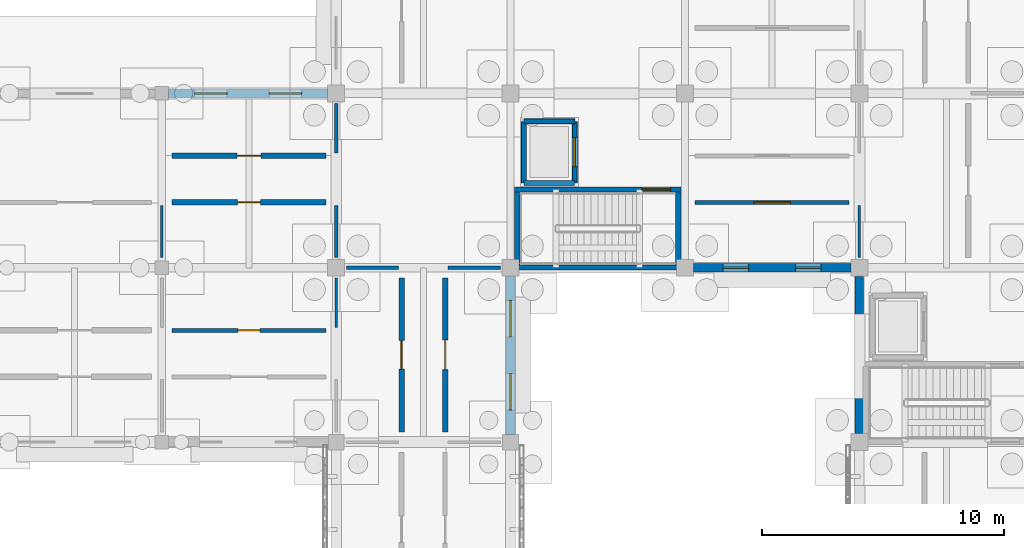
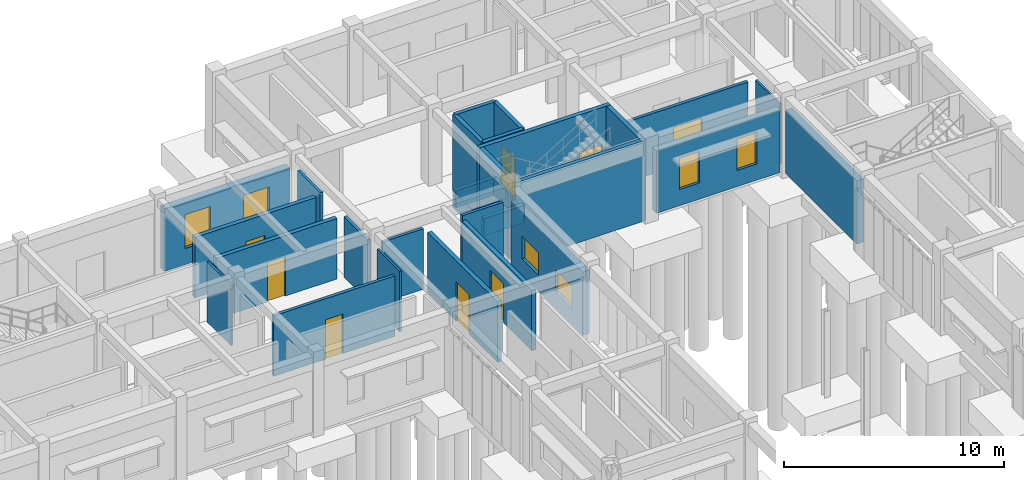
# One storey, part 82 of 111: 29 walls, 8 doors, 6 windows, 14 openings.
"""IFC4 building model written with IfcOpenShell, lengths in metres."""

import ifcopenshell
import ifcopenshell.guid

model = None  # the IFC model being written
_history = None  # IfcOwnerHistory: only IFC2X3 demands one
_inside = {}  # id of a spatial element -> (the spatial element, [elements in it])
_under = {}  # id of a project, library or spatial element -> (it, [spatial elements below it])
_declared = {}  # id of a project -> (the project, [libraries it declares])
_typed = {}  # id of a type object -> (the type object, [elements of that type])
_made_of = {}  # id of a material, layer set ... -> (it, [elements and type objects made of it])


def new_model(schema):
    """Start an empty IFC model of exactly this schema.

    Asked for "IFC4X3", IfcOpenShell would pick the latest addendum, in which some entities
    have other attributes; the version numbers below select the first issue.
    IFC2X3 requires an IfcOwnerHistory on every rooted entity: one is made here for all.
    """
    global model, _history
    if schema == "IFC4X3":
        model = ifcopenshell.file(schema_version=(4, 3, 0, 0))
    else:
        model = ifcopenshell.file(schema=schema)
    _inside.clear()
    _under.clear()
    _declared.clear()
    _typed.clear()
    _made_of.clear()
    _history = None
    if model.schema == "IFC2X3":
        org = make("IfcOrganization", Name="unknown")
        user = make(
            "IfcPersonAndOrganization",
            ThePerson=make("IfcPerson", FamilyName="unknown"),
            TheOrganization=org,
        )
        app = make(
            "IfcApplication",
            ApplicationDeveloper=org,
            Version="unknown",
            ApplicationFullName="unknown",
            ApplicationIdentifier="unknown",
        )
        _history = make(
            "IfcOwnerHistory",
            OwningUser=user,
            OwningApplication=app,
            ChangeAction="ADDED",
            CreationDate=0,
        )
    return model


def make(cls, **values):
    """One entity of the class cls with the attributes given. An attribute that is None is left unset."""
    return model.create_entity(
        cls, **{name: value for name, value in values.items() if value is not None}
    )


def rooted(cls, **values):
    """An entity with a GlobalId (a new one), such as an element, a storey or a relation."""
    return make(cls, GlobalId=ifcopenshell.guid.new(), OwnerHistory=_history, **values)


def si_unit(unit_type, name, prefix=None):
    """IfcSIUnit, for example si_unit("LENGTHUNIT", "METRE", prefix="MILLI")."""
    return make("IfcSIUnit", UnitType=unit_type, Prefix=prefix, Name=name)


def assignment(units):
    """IfcUnitAssignment: the units of a project."""
    return None if units is None else make("IfcUnitAssignment", Units=units)


def point(xyz):
    """IfcCartesianPoint."""
    return None if xyz is None else make("IfcCartesianPoint", Coordinates=xyz)


def direction(xyz):
    """IfcDirection."""
    return None if xyz is None else make("IfcDirection", DirectionRatios=xyz)


def frame(location, z_axis=None, x_axis=None):
    """IfcAxis2Placement3D, a coordinate frame: its origin and axes. An axis left out is left unset."""
    return make(
        "IfcAxis2Placement3D",
        Location=point(location),
        Axis=direction(z_axis),
        RefDirection=direction(x_axis),
    )


def frame_2d(location, x_axis=None):
    """IfcAxis2Placement2D, a coordinate frame in the plane: its origin and x axis."""
    return make(
        "IfcAxis2Placement2D", Location=point(location), RefDirection=direction(x_axis)
    )


def origin():
    """The frame at (0, 0, 0) with its axes left unset."""
    return frame((0.0, 0.0, 0.0))


def place(relative_to, where):
    """IfcLocalPlacement: puts the frame where relative to a parent placement (None: the world)."""
    return make(
        "IfcLocalPlacement", PlacementRelTo=relative_to, RelativePlacement=where
    )


def context(
    kind, dimensions, precision=None, world=None, true_north=None, identifier=None
):
    """IfcGeometricRepresentationContext, for example the 3D "Model" context."""
    return make(
        "IfcGeometricRepresentationContext",
        ContextIdentifier=identifier,
        ContextType=kind,
        CoordinateSpaceDimension=dimensions,
        Precision=precision,
        WorldCoordinateSystem=world,
        TrueNorth=true_north,
    )


def subcontext(parent, identifier, kind, view, scale=None):
    """IfcGeometricRepresentationSubContext, for example "Body" below "Model"."""
    return make(
        "IfcGeometricRepresentationSubContext",
        ContextIdentifier=identifier,
        ContextType=kind,
        ParentContext=parent,
        TargetScale=scale,
        TargetView=view,
    )


def project(units=None, contexts=None):
    """IfcProject with its units and contexts."""
    return rooted(
        "IfcProject",
        Name="project",
        RepresentationContexts=contexts,
        UnitsInContext=assignment(units),
    )


def spatial(cls, under=None, at=None, **own):
    """A site, building, storey or space (cls), placed at a placement, below another one or the project."""
    s = rooted(cls, ObjectPlacement=at, **own)
    if under is not None:
        _under.setdefault(under.id(), (under, []))[1].append(s)
    return s


def profile(cls, at=None, kind="AREA", **sizes):
    """A parametric profile (cls). Its sizes go by their IFC names, for example OverallWidth=200.0."""
    return make(cls, ProfileType=kind, Position=at, **sizes)


def rectangle(**sizes):
    """IfcRectangleProfileDef."""
    return profile("IfcRectangleProfileDef", **sizes)


def extrude(swept, where, along, depth):
    """IfcExtrudedAreaSolid: the profile swept, set in the frame where, extruded along a direction by depth."""
    return make(
        "IfcExtrudedAreaSolid",
        SweptArea=swept,
        Position=where,
        ExtrudedDirection=direction(along),
        Depth=depth,
    )


def shape(context_of_items, identifier, shape_type, items):
    """IfcShapeRepresentation: the items that make up one representation, for example the "Body"."""
    return make(
        "IfcShapeRepresentation",
        ContextOfItems=context_of_items,
        RepresentationIdentifier=identifier,
        RepresentationType=shape_type,
        Items=items,
    )


def material(Name=None, Category=None):
    """IfcMaterial."""
    return make("IfcMaterial", Name=Name, Category=Category)


def layer(
    of_material, thickness, ventilated=None, Name=None, Category=None, Priority=None
):
    """IfcMaterialLayer: one layer of a wall or slab, of a material (None: an air gap)."""
    return make(
        "IfcMaterialLayer",
        Material=of_material,
        LayerThickness=thickness,
        IsVentilated=ventilated,
        Name=Name,
        Category=Category,
        Priority=Priority,
    )


def layer_set(layers, Name=None):
    """IfcMaterialLayerSet."""
    return make("IfcMaterialLayerSet", MaterialLayers=layers, LayerSetName=Name)


def made_of(thing, what):
    """Note that an element or type object is made of a material, layer set ...; save() writes the relation."""
    if what is not None:
        _made_of.setdefault(what.id(), (what, []))[1].append(thing)
    return thing


def type_object(cls, material=None, **own):
    """A type object (cls), such as IfcWallType, which elements share."""
    return made_of(rooted(cls, **own), material)


def element(
    cls,
    number,
    at=None,
    inside=None,
    cuts=None,
    type_object=None,
    material=None,
    context=None,
    identifier="Body",
    shape_type=None,
    held_by="IfcProductDefinitionShape",
    body=None,
    shapes=None,
    **own,
):
    """One element of the class cls, such as IfcWall. Its Tag is "e" and its number.

    at: its placement. inside: the storey or other place that contains it. cuts: it is an
    opening in that element (IfcRelVoidsElement). A single representation is given by context,
    identifier, shape_type and body (its items); several are given by shapes. held_by: the class
    of the entity that holds the representations. save() writes the other relations.
    """
    e = rooted(cls, Tag="e%d" % number, ObjectPlacement=at, **own)
    if body is not None:
        shapes = [shape(context, identifier, shape_type, body)]
    if shapes is not None:
        e.Representation = make(held_by, Representations=shapes)
    if inside is not None:
        _inside.setdefault(inside.id(), (inside, []))[1].append(e)
    if cuts is not None:
        rooted(
            "IfcRelVoidsElement", RelatingBuildingElement=cuts, RelatedOpeningElement=e
        )
    if type_object is not None:
        _typed.setdefault(type_object.id(), (type_object, []))[1].append(e)
    return made_of(e, material)


def fill(opening, filler):
    """IfcRelFillsElement: the door or window that sits in an opening."""
    return rooted(
        "IfcRelFillsElement",
        RelatingOpeningElement=opening,
        RelatedBuildingElement=filler,
    )


def aggregate(whole, parts):
    """IfcRelAggregates: a whole, such as a stair, and the parts it consists of."""
    return rooted("IfcRelAggregates", RelatingObject=whole, RelatedObjects=parts)


def save(model, path):
    """Write the relations noted so far, then the file.

    IfcRelAggregates (storeys below a building ...), IfcRelContainedInSpatialStructure (elements
    in a storey), IfcRelDefinesByType, IfcRelAssociatesMaterial and IfcRelDeclares: one each for
    every whole, place, type object, material and project.
    """
    for whole, parts in _under.values():
        aggregate(whole, parts)
    for where, things in _inside.values():
        rooted(
            "IfcRelContainedInSpatialStructure",
            RelatedElements=things,
            RelatingStructure=where,
        )
    for kind, things in _typed.values():
        rooted("IfcRelDefinesByType", RelatedObjects=things, RelatingType=kind)
    for what, things in _made_of.values():
        rooted("IfcRelAssociatesMaterial", RelatedObjects=things, RelatingMaterial=what)
    for by, libraries in _declared.values():
        rooted("IfcRelDeclares", RelatingContext=by, RelatedDefinitions=libraries)
    model.write(path)


model = new_model("IFC4")

# Units and contexts
model_context = context("Model", 3, precision=1e-05, world=origin(), true_north=direction((0.0, 1.0)))
body_context = subcontext(model_context, "Body", "Model", "MODEL_VIEW")
ifc_project = project(units=[si_unit("LENGTHUNIT", "METRE"), si_unit("AREAUNIT", "SQUARE_METRE"), si_unit("VOLUMEUNIT", "CUBIC_METRE"), si_unit("PLANEANGLEUNIT", "RADIAN"), si_unit("MASSUNIT", "GRAM", prefix="KILO")], contexts=[model_context])

# Site, building, storey
site_placement = place(None, origin())
site = spatial("IfcSite", under=ifc_project, at=site_placement, CompositionType="ELEMENT")
building_placement = place(site_placement, origin())
building = spatial("IfcBuilding", under=site, at=building_placement, Name="Aldebral Square Health Centre", CompositionType="ELEMENT")
storey_placement = place(building_placement, origin())
storey = spatial("IfcBuildingStorey", under=building, at=storey_placement, Name="L00", CompositionType="ELEMENT", Elevation=0.0)

# Wall, openings, windows
ifc_material_1 = material(Name="Cream cantera stone and concrete wall C35/45", Category="masonry")
ifc_layer_1 = layer(ifc_material_1, 0.340087890625, Name="Cream cantera stone and concrete wall C35/45", Category="masonry")
ifc_layer_set_1 = layer_set([ifc_layer_1], Name="Cream cantera stone and concrete wall C35/45")
wall_type_1 = type_object("IfcWallType", Name="EW-CAN-340", PredefinedType="SOLIDWALL", material=ifc_layer_set_1)
wall_1_placement = place(storey_placement, frame((151.550048828125, 100.800048828125, 0.0), z_axis=(0.0, 0.0, 1.0), x_axis=(1.0, 0.0, 0.0)))
wall_1 = element("IfcWall", 1, at=wall_1_placement, inside=storey, type_object=wall_type_1, Name="L00 V5 exterior wall L00-V5-21-14-S", PredefinedType="SOLIDWALL", context=body_context, shape_type="SweptSolid", body=[
    extrude(rectangle(XDim=6.5, YDim=0.340087890625, at=frame_2d((3.25, 0.0))), origin(), (0.0, 0.0, 1.0), 3.469970703125),
])
opening_1_placement = place(wall_1_placement, frame((1.22509765625, 0.0, 0.89990234375)))
opening_1 = element("IfcOpeningElement", 2, at=opening_1_placement, cuts=wall_1, Name="Opening W38", PredefinedType="OPENING", context=body_context, shape_type="SweptSolid", body=[
    extrude(rectangle(XDim=1.050048828125, YDim=1.75, at=frame_2d((0.52490234375, 0.875))), frame((0.0, 0.18017578125, 0.0), z_axis=(0.0, -1.0, 0.0), x_axis=(1.0, 0.0, 0.0)), (0.0, 0.0, 1.0), 0.360107421875),
])
opening_2_placement = place(wall_1_placement, frame((4.22509765625, 0.0, 0.89990234375)))
opening_2 = element("IfcOpeningElement", 3, at=opening_2_placement, cuts=wall_1, Name="Opening W38", PredefinedType="OPENING", context=body_context, shape_type="SweptSolid", body=[
    extrude(rectangle(XDim=1.050048828125, YDim=1.75, at=frame_2d((0.52490234375, 0.875))), frame((0.0, 0.18017578125, 0.0), z_axis=(0.0, -1.0, 0.0), x_axis=(1.0, 0.0, 0.0)), (0.0, 0.0, 1.0), 0.360107421875),
])
ifc_material_2 = material(Name="Thermally broken aluminium and low-E glass", Category="aluminium")
window_type_1 = type_object("IfcWindowType", Name="WIN-W38", PartitioningType="SINGLE_PANEL", PredefinedType="WINDOW", material=ifc_material_2)
window_1_placement = place(opening_1_placement, origin())
window_1 = element("IfcWindow", 4, at=window_1_placement, inside=storey, type_object=window_type_1, Name="L00 clinical window L00-V5-21-14-S.1", OverallHeight=1.75, OverallWidth=1.050048828125, PartitioningType="SINGLE_PANEL", PredefinedType="WINDOW", context=body_context, shape_type="SweptSolid", body=[
    extrude(rectangle(XDim=1.050048828125, YDim=1.75, at=frame_2d((0.52490234375, 0.875))), frame((0.0, 0.030029296875, 0.0), z_axis=(0.0, -1.0, 0.0), x_axis=(1.0, 0.0, 0.0)), (0.0, 0.0, 1.0), 0.06005859375),
])
fill(opening_1, window_1)
window_2_placement = place(opening_2_placement, origin())
window_2 = element("IfcWindow", 5, at=window_2_placement, inside=storey, type_object=window_type_1, Name="L00 clinical window L00-V5-21-14-S.2", OverallHeight=1.75, OverallWidth=1.050048828125, PartitioningType="SINGLE_PANEL", PredefinedType="WINDOW", context=body_context, shape_type="SweptSolid", body=[
    extrude(rectangle(XDim=1.050048828125, YDim=1.75, at=frame_2d((0.52490234375, 0.875))), frame((0.0, 0.030029296875, 0.0), z_axis=(0.0, -1.0, 0.0), x_axis=(1.0, 0.0, 0.0)), (0.0, 0.0, 1.0), 0.06005859375),
])
fill(opening_2, window_2)

# Wall
wall_2_placement = place(storey_placement, frame((158.39990234375, 100.449951171875, 0.0), z_axis=(0.0, 0.0, 1.0), x_axis=(0.0, -1.0, 0.0)))
element("IfcWall", 6, at=wall_2_placement, inside=storey, type_object=wall_type_1, Name="L00 V5 exterior wall L00-V5-22-13-W", PredefinedType="SOLIDWALL", context=body_context, shape_type="SweptSolid", body=[
    extrude(rectangle(XDim=6.5, YDim=0.340087890625, at=frame_2d((3.25, 0.0))), origin(), (0.0, 0.0, 1.0), 3.52001953125),
])

# Wall, openings, windows
ifc_layer_2 = layer(ifc_material_1, 0.360107421875, Name="Cream cantera stone and concrete wall C35/45", Category="masonry")
ifc_layer_set_2 = layer_set([ifc_layer_2], Name="Cream cantera stone and concrete wall C35/45")
wall_type_2 = type_object("IfcWallType", Name="EW-CAN-360", PredefinedType="SOLIDWALL", material=ifc_layer_set_2)
wall_3_placement = place(storey_placement, frame((136.449951171875, 108.0, 0.0), z_axis=(0.0, 0.0, 1.0), x_axis=(-1.0, 0.0, 0.0)))
wall_3 = element("IfcWall", 7, at=wall_3_placement, inside=storey, type_object=wall_type_2, Name="L00 V5 exterior wall L00-V5-18-14-N", PredefinedType="SOLIDWALL", context=body_context, shape_type="SweptSolid", body=[
    extrude(rectangle(XDim=6.574951171875, YDim=0.360107421875, at=frame_2d((3.28759765625, 0.0))), origin(), (0.0, 0.0, 1.0), 3.469970703125),
])
opening_3_placement = place(wall_3_placement, frame((1.074951171875, 0.0, 0.89990234375)))
opening_3 = element("IfcOpeningElement", 8, at=opening_3_placement, cuts=wall_3, Name="Opening W49", PredefinedType="OPENING", context=body_context, shape_type="SweptSolid", body=[
    extrude(rectangle(XDim=1.35009765625, YDim=1.8798828125, at=frame_2d((0.675048828125, 0.93994140625))), frame((0.0, 0.18994140625, 0.0), z_axis=(0.0, -1.0, 0.0), x_axis=(1.0, 0.0, 0.0)), (0.0, 0.0, 1.0), 0.380126953125),
])
opening_4_placement = place(wall_3_placement, frame((4.14990234375, 0.0, 0.89990234375)))
opening_4 = element("IfcOpeningElement", 9, at=opening_4_placement, cuts=wall_3, Name="Opening W49", PredefinedType="OPENING", context=body_context, shape_type="SweptSolid", body=[
    extrude(rectangle(XDim=1.35009765625, YDim=1.8798828125, at=frame_2d((0.675048828125, 0.93994140625))), frame((0.0, 0.18994140625, 0.0), z_axis=(0.0, -1.0, 0.0), x_axis=(1.0, 0.0, 0.0)), (0.0, 0.0, 1.0), 0.380126953125),
])
window_type_2 = type_object("IfcWindowType", Name="WIN-W49", PartitioningType="SINGLE_PANEL", PredefinedType="WINDOW", material=ifc_material_2)
window_3_placement = place(opening_3_placement, origin())
window_3 = element("IfcWindow", 10, at=window_3_placement, inside=storey, type_object=window_type_2, Name="L00 clinical window L00-V5-18-14-N.1", OverallHeight=1.8798828125, OverallWidth=1.35009765625, PartitioningType="SINGLE_PANEL", PredefinedType="WINDOW", context=body_context, shape_type="SweptSolid", body=[
    extrude(rectangle(XDim=1.35009765625, YDim=1.8798828125, at=frame_2d((0.675048828125, 0.93994140625))), frame((0.0, 0.030029296875, 0.0), z_axis=(0.0, -1.0, 0.0), x_axis=(1.0, 0.0, 0.0)), (0.0, 0.0, 1.0), 0.06005859375),
])
fill(opening_3, window_3)
window_4_placement = place(opening_4_placement, origin())
window_4 = element("IfcWindow", 11, at=window_4_placement, inside=storey, type_object=window_type_2, Name="L00 clinical window L00-V5-18-14-N.2", OverallHeight=1.8798828125, OverallWidth=1.35009765625, PartitioningType="SINGLE_PANEL", PredefinedType="WINDOW", context=body_context, shape_type="SweptSolid", body=[
    extrude(rectangle(XDim=1.35009765625, YDim=1.8798828125, at=frame_2d((0.675048828125, 0.93994140625))), frame((0.0, 0.030029296875, 0.0), z_axis=(0.0, -1.0, 0.0), x_axis=(1.0, 0.0, 0.0)), (0.0, 0.0, 1.0), 0.06005859375),
])
fill(opening_4, window_4)

wall_4_placement = place(storey_placement, frame((144.0, 93.925048828125, 0.0), z_axis=(0.0, 0.0, 1.0), x_axis=(0.0, 1.0, 0.0)))
wall_4 = element("IfcWall", 12, at=wall_4_placement, inside=storey, type_object=wall_type_2, Name="L00 V5 exterior wall L00-V5-19-13-E", PredefinedType="SOLIDWALL", context=body_context, shape_type="SweptSolid", body=[
    extrude(rectangle(XDim=6.52490234375, YDim=0.360107421875, at=frame_2d((3.262451171875, 0.0))), origin(), (0.0, 0.0, 1.0), 3.52001953125),
])
opening_5_placement = place(wall_4_placement, frame((1.0, 0.0, 0.89990234375)))
opening_5 = element("IfcOpeningElement", 13, at=opening_5_placement, cuts=wall_4, Name="Opening W05", PredefinedType="OPENING", context=body_context, shape_type="SweptSolid", body=[
    extrude(rectangle(XDim=1.5, YDim=1.25, at=frame_2d((0.75, 0.625))), frame((0.0, 0.18994140625, 0.0), z_axis=(0.0, -1.0, 0.0), x_axis=(1.0, 0.0, 0.0)), (0.0, 0.0, 1.0), 0.380126953125),
])
opening_6_placement = place(wall_4_placement, frame((4.02490234375, 0.0, 0.89990234375)))
opening_6 = element("IfcOpeningElement", 14, at=opening_6_placement, cuts=wall_4, Name="Opening W05", PredefinedType="OPENING", context=body_context, shape_type="SweptSolid", body=[
    extrude(rectangle(XDim=1.5, YDim=1.25, at=frame_2d((0.75, 0.625))), frame((0.0, 0.18994140625, 0.0), z_axis=(0.0, -1.0, 0.0), x_axis=(1.0, 0.0, 0.0)), (0.0, 0.0, 1.0), 0.380126953125),
])
window_type_3 = type_object("IfcWindowType", Name="WIN-W05", PartitioningType="SINGLE_PANEL", PredefinedType="WINDOW", material=ifc_material_2)
window_5_placement = place(opening_5_placement, origin())
window_5 = element("IfcWindow", 15, at=window_5_placement, inside=storey, type_object=window_type_3, Name="L00 clinical window L00-V5-19-13-E.1", OverallHeight=1.25, OverallWidth=1.5, PartitioningType="SINGLE_PANEL", PredefinedType="WINDOW", context=body_context, shape_type="SweptSolid", body=[
    extrude(rectangle(XDim=1.5, YDim=1.25, at=frame_2d((0.75, 0.625))), frame((0.0, 0.030029296875, 0.0), z_axis=(0.0, -1.0, 0.0), x_axis=(1.0, 0.0, 0.0)), (0.0, 0.0, 1.0), 0.06005859375),
])
fill(opening_5, window_5)
window_6_placement = place(opening_6_placement, origin())
window_6 = element("IfcWindow", 16, at=window_6_placement, inside=storey, type_object=window_type_3, Name="L00 clinical window L00-V5-19-13-E.2", OverallHeight=1.25, OverallWidth=1.5, PartitioningType="SINGLE_PANEL", PredefinedType="WINDOW", context=body_context, shape_type="SweptSolid", body=[
    extrude(rectangle(XDim=1.5, YDim=1.25, at=frame_2d((0.75, 0.625))), frame((0.0, 0.030029296875, 0.0), z_axis=(0.0, -1.0, 0.0), x_axis=(1.0, 0.0, 0.0)), (0.0, 0.0, 1.0), 0.06005859375),
])
fill(opening_6, window_6)

# Wall, opening, door
ifc_material_3 = material(Name="Concrete C35/45 compartment wall", Category="concrete")
ifc_layer_3 = layer(ifc_material_3, 0.219970703125, Name="Concrete C35/45 compartment wall", Category="concrete")
ifc_layer_set_3 = layer_set([ifc_layer_3], Name="Concrete C35/45 compartment wall")
wall_type_3 = type_object("IfcWallType", Name="IW-CMP-220", PredefinedType="SOLIDWALL", material=ifc_layer_set_3)
wall_5_placement = place(storey_placement, frame((130.02001953125, 103.5, 0.0), z_axis=(0.0, 0.0, 1.0), x_axis=(1.0, 0.0, 0.0)))
wall_5 = element("IfcWall", 17, at=wall_5_placement, inside=storey, type_object=wall_type_3, Name="L00 Outpatient Blood Draw 19.15S corridor wall", PredefinedType="SOLIDWALL", context=body_context, shape_type="SweptSolid", body=[
    extrude(rectangle(XDim=6.35986328125, YDim=0.219970703125, at=frame_2d((3.179931640625, 0.0))), origin(), (0.0, 0.0, 1.0), 3.360107421875),
])
opening_7_placement = place(wall_5_placement, frame((2.7099609375, 0.0, 0.0)))
opening_7 = element("IfcOpeningElement", 18, at=opening_7_placement, cuts=wall_5, Name="Opening D-0133", PredefinedType="OPENING", context=body_context, shape_type="SweptSolid", body=[
    extrude(rectangle(XDim=0.93994140625, YDim=2.18994140625, at=frame_2d((0.469970703125, 1.094970703125))), frame((0.0, 0.1201171875, 0.0), z_axis=(0.0, -1.0, 0.0), x_axis=(1.0, 0.0, 0.0)), (0.0, 0.0, 1.0), 0.239990234375),
])
ifc_material_4 = material(Name="Clinical suite fire door")
door_type_1 = type_object("IfcDoorType", Name="ID-EXD-49", OperationType="NOTDEFINED", PredefinedType="DOOR", material=ifc_material_4)
door_1_placement = place(opening_7_placement, origin())
door_1 = element("IfcDoor", 19, at=door_1_placement, inside=storey, type_object=door_type_1, Name="L00 Outpatient Blood Draw 19.15S door", OperationType="SINGLE_SWING_RIGHT", OverallHeight=2.18994140625, OverallWidth=0.93994140625, PredefinedType="DOOR", context=body_context, shape_type="SweptSolid", body=[
    extrude(rectangle(XDim=0.93994140625, YDim=2.18994140625, at=frame_2d((0.469970703125, 1.094970703125))), frame((0.0, 0.02490234375, 0.0), z_axis=(0.0, -1.0, 0.0), x_axis=(1.0, 0.0, 0.0)), (0.0, 0.0, 1.0), 0.050048828125),
])
fill(opening_7, door_1)

wall_6_placement = place(storey_placement, frame((130.02001953125, 105.419921875, 0.0), z_axis=(0.0, 0.0, 1.0), x_axis=(1.0, 0.0, 0.0)))
wall_6 = element("IfcWall", 20, at=wall_6_placement, inside=storey, type_object=wall_type_3, Name="L00 Medical Records Archive 19.15N corridor wall", PredefinedType="SOLIDWALL", context=body_context, shape_type="SweptSolid", body=[
    extrude(rectangle(XDim=6.35986328125, YDim=0.219970703125, at=frame_2d((3.179931640625, 0.0))), origin(), (0.0, 0.0, 1.0), 3.360107421875),
])
opening_8_placement = place(wall_6_placement, frame((2.68994140625, 0.0, 0.0)))
opening_8 = element("IfcOpeningElement", 21, at=opening_8_placement, cuts=wall_6, Name="Opening D-0134", PredefinedType="OPENING", context=body_context, shape_type="SweptSolid", body=[
    extrude(rectangle(XDim=0.97998046875, YDim=2.18994140625, at=frame_2d((0.489990234375, 1.094970703125))), frame((0.0, 0.1201171875, 0.0), z_axis=(0.0, -1.0, 0.0), x_axis=(1.0, 0.0, 0.0)), (0.0, 0.0, 1.0), 0.239990234375),
])
door_type_2 = type_object("IfcDoorType", Name="ID-EXD-50", OperationType="NOTDEFINED", PredefinedType="DOOR", material=ifc_material_4)
door_2_placement = place(opening_8_placement, origin())
door_2 = element("IfcDoor", 22, at=door_2_placement, inside=storey, type_object=door_type_2, Name="L00 Medical Records Archive 19.15N door", OperationType="SINGLE_SWING_LEFT", OverallHeight=2.18994140625, OverallWidth=0.97998046875, PredefinedType="DOOR", context=body_context, shape_type="SweptSolid", body=[
    extrude(rectangle(XDim=0.97998046875, YDim=2.18994140625, at=frame_2d((0.489990234375, 1.094970703125))), frame((0.0, 0.02490234375, 0.0), z_axis=(0.0, -1.0, 0.0), x_axis=(1.0, 0.0, 0.0)), (0.0, 0.0, 1.0), 0.050048828125),
])
fill(opening_8, door_2)

wall_7_placement = place(storey_placement, frame((139.5, 94.02001953125, 0.0), z_axis=(0.0, 0.0, 1.0), x_axis=(0.0, 1.0, 0.0)))
wall_7 = element("IfcWall", 23, at=wall_7_placement, inside=storey, type_object=wall_type_3, Name="L00 Prenatal Ultrasound Room 20.14W corridor wall", PredefinedType="SOLIDWALL", context=body_context, shape_type="SweptSolid", body=[
    extrude(rectangle(XDim=6.35986328125, YDim=0.219970703125, at=frame_2d((3.179931640625, 0.0))), origin(), (0.0, 0.0, 1.0), 3.360107421875),
])
opening_9_placement = place(wall_7_placement, frame((2.590087890625, 0.0, 0.0)))
opening_9 = element("IfcOpeningElement", 24, at=opening_9_placement, cuts=wall_7, Name="Opening D-0139", PredefinedType="OPENING", context=body_context, shape_type="SweptSolid", body=[
    extrude(rectangle(XDim=1.179931640625, YDim=2.18994140625, at=frame_2d((0.58984375, 1.094970703125))), frame((0.0, 0.1201171875, 0.0), z_axis=(0.0, -1.0, 0.0), x_axis=(1.0, 0.0, 0.0)), (0.0, 0.0, 1.0), 0.239990234375),
])
door_type_3 = type_object("IfcDoorType", Name="ID-EXD-55", OperationType="NOTDEFINED", PredefinedType="DOOR", material=ifc_material_4)
door_3_placement = place(opening_9_placement, origin())
door_3 = element("IfcDoor", 25, at=door_3_placement, inside=storey, type_object=door_type_3, Name="L00 Prenatal Ultrasound Room 20.14W door", OperationType="SINGLE_SWING_RIGHT", OverallHeight=2.18994140625, OverallWidth=1.179931640625, PredefinedType="DOOR", context=body_context, shape_type="SweptSolid", body=[
    extrude(rectangle(XDim=1.179931640625, YDim=2.18994140625, at=frame_2d((0.58984375, 1.094970703125))), frame((0.0, 0.02490234375, 0.0), z_axis=(0.0, -1.0, 0.0), x_axis=(1.0, 0.0, 0.0)), (0.0, 0.0, 1.0), 0.050048828125),
])
fill(opening_9, door_3)

wall_8_placement = place(storey_placement, frame((141.300048828125, 94.02001953125, 0.0), z_axis=(0.0, 0.0, 1.0), x_axis=(0.0, 1.0, 0.0)))
wall_8 = element("IfcWall", 26, at=wall_8_placement, inside=storey, type_object=wall_type_3, Name="L00 Lactation Counseling Room 20.14E corridor wall", PredefinedType="SOLIDWALL", context=body_context, shape_type="SweptSolid", body=[
    extrude(rectangle(XDim=6.35986328125, YDim=0.219970703125, at=frame_2d((3.179931640625, 0.0))), origin(), (0.0, 0.0, 1.0), 3.360107421875),
])
opening_10_placement = place(wall_8_placement, frame((2.570068359375, 0.0, 0.0)))
opening_10 = element("IfcOpeningElement", 27, at=opening_10_placement, cuts=wall_8, Name="Opening D-0140", PredefinedType="OPENING", context=body_context, shape_type="SweptSolid", body=[
    extrude(rectangle(XDim=1.219970703125, YDim=2.18994140625, at=frame_2d((0.60986328125, 1.094970703125))), frame((0.0, 0.1201171875, 0.0), z_axis=(0.0, -1.0, 0.0), x_axis=(1.0, 0.0, 0.0)), (0.0, 0.0, 1.0), 0.239990234375),
])
door_type_4 = type_object("IfcDoorType", Name="ID-EXD-56", OperationType="NOTDEFINED", PredefinedType="DOOR", material=ifc_material_4)
door_4_placement = place(opening_10_placement, origin())
door_4 = element("IfcDoor", 28, at=door_4_placement, inside=storey, type_object=door_type_4, Name="L00 Lactation Counseling Room 20.14E door", OperationType="SINGLE_SWING_LEFT", OverallHeight=2.18994140625, OverallWidth=1.219970703125, PredefinedType="DOOR", context=body_context, shape_type="SweptSolid", body=[
    extrude(rectangle(XDim=1.219970703125, YDim=2.18994140625, at=frame_2d((0.60986328125, 1.094970703125))), frame((0.0, 0.02490234375, 0.0), z_axis=(0.0, -1.0, 0.0), x_axis=(1.0, 0.0, 0.0)), (0.0, 0.0, 1.0), 0.050048828125),
])
fill(opening_10, door_4)

ifc_material_5 = material(Name="Fire-rated acoustic gypsum partition")
ifc_layer_4 = layer(ifc_material_5, 0.1650390625, Name="Fire-rated acoustic gypsum partition")
ifc_layer_set_4 = layer_set([ifc_layer_4], Name="Fire-rated acoustic gypsum partition")
wall_type_4 = type_object("IfcWallType", Name="IW-COR-165", PredefinedType="PARTITIONING", material=ifc_layer_set_4)
wall_9_placement = place(storey_placement, frame((130.02001953125, 98.219970703125, 0.0), z_axis=(0.0, 0.0, 1.0), x_axis=(1.0, 0.0, 0.0)))
wall_9 = element("IfcWall", 29, at=wall_9_placement, inside=storey, type_object=wall_type_4, Name="L00 Lactation Counseling Room 19.14N corridor wall", PredefinedType="PARTITIONING", context=body_context, shape_type="SweptSolid", body=[
    extrude(rectangle(XDim=6.35986328125, YDim=0.1650390625, at=frame_2d((3.179931640625, 0.0))), origin(), (0.0, 0.0, 1.0), 3.360107421875),
])
opening_11_placement = place(wall_9_placement, frame((2.72998046875, 0.0, 0.0)))
opening_11 = element("IfcOpeningElement", 30, at=opening_11_placement, cuts=wall_9, Name="Opening D-0132", PredefinedType="OPENING", context=body_context, shape_type="SweptSolid", body=[
    extrude(rectangle(XDim=0.89990234375, YDim=2.18994140625, at=frame_2d((0.449951171875, 1.094970703125))), frame((0.0, 0.092529296875, 0.0), z_axis=(0.0, -1.0, 0.0), x_axis=(1.0, 0.0, 0.0)), (0.0, 0.0, 1.0), 0.18505859375),
])
door_type_5 = type_object("IfcDoorType", Name="ID-EXD-48", OperationType="NOTDEFINED", PredefinedType="DOOR", material=ifc_material_4)
door_5_placement = place(opening_11_placement, origin())
door_5 = element("IfcDoor", 31, at=door_5_placement, inside=storey, type_object=door_type_5, Name="L00 Lactation Counseling Room 19.14N door", OperationType="SINGLE_SWING_LEFT", OverallHeight=2.18994140625, OverallWidth=0.89990234375, PredefinedType="DOOR", context=body_context, shape_type="SweptSolid", body=[
    extrude(rectangle(XDim=0.89990234375, YDim=2.18994140625, at=frame_2d((0.449951171875, 1.094970703125))), frame((0.0, 0.02490234375, 0.0), z_axis=(0.0, -1.0, 0.0), x_axis=(1.0, 0.0, 0.0)), (0.0, 0.0, 1.0), 0.050048828125),
])
fill(opening_11, door_5)

wall_10_placement = place(storey_placement, frame((151.6201171875, 103.5, 0.0), z_axis=(0.0, 0.0, 1.0), x_axis=(1.0, 0.0, 0.0)))
wall_10 = element("IfcWall", 32, at=wall_10_placement, inside=storey, type_object=wall_type_4, Name="L00 Outpatient Blood Draw 22.15S corridor wall", PredefinedType="PARTITIONING", context=body_context, shape_type="SweptSolid", body=[
    extrude(rectangle(XDim=6.35986328125, YDim=0.1650390625, at=frame_2d((3.179931640625, 0.0))), origin(), (0.0, 0.0, 1.0), 3.360107421875),
])
opening_12_placement = place(wall_10_placement, frame((2.429931640625, 0.0, 0.0)))
opening_12 = element("IfcOpeningElement", 33, at=opening_12_placement, cuts=wall_10, Name="Opening D-0149", PredefinedType="OPENING", context=body_context, shape_type="SweptSolid", body=[
    extrude(rectangle(XDim=1.5, YDim=2.199951171875, at=frame_2d((0.75, 1.10009765625))), frame((0.0, 0.092529296875, 0.0), z_axis=(0.0, -1.0, 0.0), x_axis=(1.0, 0.0, 0.0)), (0.0, 0.0, 1.0), 0.18505859375),
])
ifc_material_6 = material(Name="Surgical suite double-leaf fire door")
door_type_6 = type_object("IfcDoorType", Name="ID-OR-150", OperationType="NOTDEFINED", PredefinedType="DOOR", material=ifc_material_6)
door_6_placement = place(opening_12_placement, origin())
door_6 = element("IfcDoor", 34, at=door_6_placement, inside=storey, type_object=door_type_6, Name="L00 Outpatient Blood Draw 22.15S door", OperationType="SINGLE_SWING_RIGHT", OverallHeight=2.199951171875, OverallWidth=1.5, PredefinedType="DOOR", context=body_context, shape_type="SweptSolid", body=[
    extrude(rectangle(XDim=1.5, YDim=2.199951171875, at=frame_2d((0.75, 1.10009765625))), frame((0.0, 0.02490234375, 0.0), z_axis=(0.0, -1.0, 0.0), x_axis=(1.0, 0.0, 0.0)), (0.0, 0.0, 1.0), 0.050048828125),
])
fill(opening_12, door_6)

# Wall
ifc_material_7 = material(Name="Concrete C40/50", Category="concrete")
ifc_layer_5 = layer(ifc_material_7, 0.219970703125, Name="Concrete C40/50", Category="concrete")
ifc_layer_set_5 = layer_set([ifc_layer_5], Name="Concrete C40/50")
wall_type_5 = type_object("IfcWallType", Name="IW-CORE-280", PredefinedType="SHEAR", material=ifc_layer_set_5)
wall_11_placement = place(storey_placement, frame((144.159912109375, 100.81005859375, -0.25), z_axis=(0.0, 0.0, 1.0), x_axis=(1.0, 0.0, 0.0)))
element("IfcWall", 35, at=wall_11_placement, inside=storey, type_object=wall_type_5, Name="L00 WC-C4 shaft wall S", PredefinedType="SHEAR", context=body_context, shape_type="SweptSolid", body=[
    extrude(rectangle(XDim=6.880126953125, YDim=0.219970703125, at=frame_2d((3.43994140625, 0.0))), origin(), (0.0, 0.0, 1.0), 4.469970703125),
])

# Wall, opening, door
wall_12_placement = place(storey_placement, frame((144.159912109375, 104.030029296875, -0.25), z_axis=(0.0, 0.0, 1.0), x_axis=(1.0, 0.0, 0.0)))
wall_12 = element("IfcWall", 36, at=wall_12_placement, inside=storey, type_object=wall_type_5, Name="L00 WC-C4 shaft wall N", PredefinedType="SHEAR", context=body_context, shape_type="SweptSolid", body=[
    extrude(rectangle(XDim=6.880126953125, YDim=0.219970703125, at=frame_2d((3.43994140625, 0.0))), origin(), (0.0, 0.0, 1.0), 4.469970703125),
])
opening_13_placement = place(wall_12_placement, frame((5.25, 0.0, 0.25)))
opening_13 = element("IfcOpeningElement", 37, at=opening_13_placement, cuts=wall_12, Name="Opening D-0045", PredefinedType="OPENING", context=body_context, shape_type="SweptSolid", body=[
    extrude(rectangle(XDim=1.199951171875, YDim=2.14990234375, at=frame_2d((0.60009765625, 1.074951171875))), frame((0.0, 0.1201171875, 0.0), z_axis=(0.0, -1.0, 0.0), x_axis=(1.0, 0.0, 0.0)), (0.0, 0.0, 1.0), 0.239990234375),
])
ifc_material_8 = material(Name="Fire-rated steel stair door", Category="steel")
door_type_7 = type_object("IfcDoorType", Name="ID-ST-120", OperationType="NOTDEFINED", PredefinedType="DOOR", material=ifc_material_8)
door_7_placement = place(opening_13_placement, origin())
door_7 = element("IfcDoor", 38, at=door_7_placement, inside=storey, type_object=door_type_7, Name="L00 ST-04 fire door", OperationType="SINGLE_SWING_RIGHT", OverallHeight=2.14990234375, OverallWidth=1.199951171875, PredefinedType="DOOR", context=body_context, shape_type="SweptSolid", body=[
    extrude(rectangle(XDim=1.199951171875, YDim=2.14990234375, at=frame_2d((0.60009765625, 1.074951171875))), frame((0.0, 0.02490234375, 0.0), z_axis=(0.0, -1.0, 0.0), x_axis=(1.0, 0.0, 0.0)), (0.0, 0.0, 1.0), 0.050048828125),
])
fill(opening_13, door_7)

# Walls
for number, where, z_axis, x_axis, name in (
    (39, (144.27001953125, 100.919921875, -0.25), (0.0, 0.0, 1.0), (0.0, 1.0, 0.0), "L00 WC-C4 shaft wall W"),
    (40, (150.929931640625, 100.919921875, -0.25), (0.0, 0.0, 1.0), (0.0, 1.0, 0.0), "L00 WC-C4 shaft wall E"),
):
    element("IfcWall", number, at=place(storey_placement, frame(where, z_axis=z_axis, x_axis=x_axis)), inside=storey, type_object=wall_type_5, Name=name, PredefinedType="SHEAR", context=body_context, shape_type="SweptSolid", body=[
        extrude(rectangle(XDim=3.0, YDim=0.219970703125, at=frame_2d((1.5, 0.0))), origin(), (0.0, 0.0, 1.0), 4.469970703125),
    ])
ifc_layer_6 = layer(ifc_material_7, 0.219970703125, Name="Concrete C40/50", Category="concrete")
ifc_layer_set_6 = layer_set([ifc_layer_6], Name="Concrete C40/50")
wall_type_6 = type_object("IfcWallType", Name="IW-LFT-220", PredefinedType="SHEAR", material=ifc_layer_set_6)
wall_13_placement = place(storey_placement, frame((144.550048828125, 104.300048828125, -0.949951171875), z_axis=(0.0, 0.0, 1.0), x_axis=(1.0, 0.0, 0.0)))
element("IfcWall", 41, at=wall_13_placement, inside=storey, type_object=wall_type_6, Name="LF-04 pit wall 1", PredefinedType="SHEAR", context=body_context, shape_type="SweptSolid", body=[
    extrude(rectangle(XDim=2.099853515625, YDim=0.219970703125, at=frame_2d((1.0498046875, 0.0))), origin(), (0.0, 0.0, 1.0), 0.949951171875),
])
wall_14_placement = place(storey_placement, frame((146.64990234375, 104.300048828125, -0.949951171875), z_axis=(0.0, 0.0, 1.0), x_axis=(0.0, 1.0, 0.0)))
element("IfcWall", 42, at=wall_14_placement, inside=storey, type_object=wall_type_6, Name="LF-04 pit wall 2", PredefinedType="SHEAR", context=body_context, shape_type="SweptSolid", body=[
    extrude(rectangle(XDim=2.550048828125, YDim=0.219970703125, at=frame_2d((1.27490234375, 0.0))), origin(), (0.0, 0.0, 1.0), 0.949951171875),
])
wall_15_placement = place(storey_placement, frame((146.64990234375, 106.85009765625, -0.949951171875), z_axis=(0.0, 0.0, 1.0), x_axis=(-1.0, 0.0, 0.0)))
element("IfcWall", 43, at=wall_15_placement, inside=storey, type_object=wall_type_6, Name="LF-04 pit wall 3", PredefinedType="SHEAR", context=body_context, shape_type="SweptSolid", body=[
    extrude(rectangle(XDim=2.099853515625, YDim=0.219970703125, at=frame_2d((1.0498046875, 0.0))), origin(), (0.0, 0.0, 1.0), 0.949951171875),
])
wall_16_placement = place(storey_placement, frame((144.550048828125, 106.85009765625, -0.949951171875), z_axis=(0.0, 0.0, 1.0), x_axis=(0.0, -1.0, 0.0)))
element("IfcWall", 44, at=wall_16_placement, inside=storey, type_object=wall_type_6, Name="LF-04 pit wall 4", PredefinedType="SHEAR", context=body_context, shape_type="SweptSolid", body=[
    extrude(rectangle(XDim=2.550048828125, YDim=0.219970703125, at=frame_2d((1.27490234375, 0.0))), origin(), (0.0, 0.0, 1.0), 0.949951171875),
])
ifc_layer_7 = layer(ifc_material_7, 0.199951171875, Name="Concrete C40/50", Category="concrete")
ifc_layer_set_7 = layer_set([ifc_layer_7], Name="Concrete C40/50")
wall_type_7 = type_object("IfcWallType", Name="IW-LFT-250", PredefinedType="SHEAR", material=ifc_layer_set_7)
wall_17_placement = place(storey_placement, frame((144.550048828125, 104.300048828125, 0.0), z_axis=(0.0, 0.0, 1.0), x_axis=(1.0, 0.0, 0.0)))
element("IfcWall", 45, at=wall_17_placement, inside=storey, type_object=wall_type_7, Name="L00 LF-04 shaft wall S", PredefinedType="SHEAR", context=body_context, shape_type="SweptSolid", body=[
    extrude(rectangle(XDim=2.099853515625, YDim=0.199951171875, at=frame_2d((1.0498046875, 0.0))), origin(), (0.0, 0.0, 1.0), 4.219970703125),
])
wall_18_placement = place(storey_placement, frame((144.550048828125, 104.300048828125, 0.0), z_axis=(0.0, 0.0, 1.0), x_axis=(0.0, 1.0, 0.0)))
element("IfcWall", 46, at=wall_18_placement, inside=storey, type_object=wall_type_7, Name="L00 LF-04 shaft wall W", PredefinedType="SHEAR", context=body_context, shape_type="SweptSolid", body=[
    extrude(rectangle(XDim=2.550048828125, YDim=0.199951171875, at=frame_2d((1.27490234375, 0.0))), origin(), (0.0, 0.0, 1.0), 4.219970703125),
])
wall_19_placement = place(storey_placement, frame((144.550048828125, 106.85009765625, 0.0), z_axis=(0.0, 0.0, 1.0), x_axis=(1.0, 0.0, 0.0)))
element("IfcWall", 47, at=wall_19_placement, inside=storey, type_object=wall_type_7, Name="L00 LF-04 shaft wall N", PredefinedType="SHEAR", context=body_context, shape_type="SweptSolid", body=[
    extrude(rectangle(XDim=2.099853515625, YDim=0.199951171875, at=frame_2d((1.0498046875, 0.0))), origin(), (0.0, 0.0, 1.0), 4.219970703125),
])

# Wall, opening, door
wall_20_placement = place(storey_placement, frame((146.64990234375, 104.300048828125, 0.0), z_axis=(0.0, 0.0, 1.0), x_axis=(0.0, 1.0, 0.0)))
wall_20 = element("IfcWall", 48, at=wall_20_placement, inside=storey, type_object=wall_type_7, Name="L00 LF-04 landing wall", PredefinedType="SHEAR", context=body_context, shape_type="SweptSolid", body=[
    extrude(rectangle(XDim=2.550048828125, YDim=0.199951171875, at=frame_2d((1.27490234375, 0.0))), origin(), (0.0, 0.0, 1.0), 4.219970703125),
])
opening_14_placement = place(wall_20_placement, frame((0.675048828125, 0.0, 0.0)))
opening_14 = element("IfcOpeningElement", 49, at=opening_14_placement, cuts=wall_20, Name="Opening LD-4", PredefinedType="OPENING", context=body_context, shape_type="SweptSolid", body=[
    extrude(rectangle(XDim=1.199951171875, YDim=2.14990234375, at=frame_2d((0.60009765625, 1.074951171875))), frame((0.0, 0.10986328125, 0.0), z_axis=(0.0, -1.0, 0.0), x_axis=(1.0, 0.0, 0.0)), (0.0, 0.0, 1.0), 0.219970703125),
])
ifc_material_9 = material(Name="Stainless steel passenger lift landing door", Category="steel")
door_type_8 = type_object("IfcDoorType", Name="ID-LD-120", OperationType="SLIDING_TO_LEFT", PredefinedType="DOOR", material=ifc_material_9)
door_8_placement = place(opening_14_placement, origin())
door_8 = element("IfcDoor", 50, at=door_8_placement, inside=storey, type_object=door_type_8, Name="L00 LF-04 sliding landing door", OperationType="SLIDING_TO_LEFT", OverallHeight=2.14990234375, OverallWidth=1.199951171875, PredefinedType="DOOR", context=body_context, shape_type="SweptSolid", body=[
    extrude(rectangle(XDim=1.199951171875, YDim=2.14990234375, at=frame_2d((0.60009765625, 1.074951171875))), frame((0.0, 0.02490234375, 0.0), z_axis=(0.0, -1.0, 0.0), x_axis=(1.0, 0.0, 0.0)), (0.0, 0.0, 1.0), 0.050048828125),
])
fill(opening_14, door_8)

# Walls
ifc_material_10 = material(Name="Lightweight clinical partition")
ifc_layer_8 = layer(ifc_material_10, 0.10498046875, Name="Lightweight clinical partition")
ifc_layer_set_8 = layer_set([ifc_layer_8], Name="Lightweight clinical partition")
wall_type_8 = type_object("IfcWallType", Name="IW-PRT-105", PredefinedType="PARTITIONING", material=ifc_layer_set_8)
wall_21_placement = place(storey_placement, frame((129.60009765625, 101.219970703125, 0.0), z_axis=(0.0, 0.0, 1.0), x_axis=(0.0, 1.0, 0.0)))
element("IfcWall", 51, at=wall_21_placement, inside=storey, type_object=wall_type_8, Name="L00 Maternal-Child Clinic 18.15S demising partition", PredefinedType="PARTITIONING", context=body_context, shape_type="SweptSolid", body=[
    extrude(rectangle(XDim=2.159912109375, YDim=0.10498046875, at=frame_2d((1.080078125, 0.0))), origin(), (0.0, 0.0, 1.0), 3.360107421875),
])
wall_22_placement = place(storey_placement, frame((136.800048828125, 98.340087890625, 0.0), z_axis=(0.0, 0.0, 1.0), x_axis=(0.0, 1.0, 0.0)))
element("IfcWall", 52, at=wall_22_placement, inside=storey, type_object=wall_type_8, Name="L00 Lactation Counseling Room 19.14N demising partition", PredefinedType="PARTITIONING", context=body_context, shape_type="SweptSolid", body=[
    extrude(rectangle(XDim=2.039794921875, YDim=0.10498046875, at=frame_2d((1.02001953125, 0.0))), origin(), (0.0, 0.0, 1.0), 3.360107421875),
])
wall_23_placement = place(storey_placement, frame((158.39990234375, 101.219970703125, 0.0), z_axis=(0.0, 0.0, 1.0), x_axis=(0.0, 1.0, 0.0)))
element("IfcWall", 53, at=wall_23_placement, inside=storey, type_object=wall_type_8, Name="L00 Outpatient Blood Draw 22.15S demising partition", PredefinedType="PARTITIONING", context=body_context, shape_type="SweptSolid", body=[
    extrude(rectangle(XDim=2.159912109375, YDim=0.10498046875, at=frame_2d((1.080078125, 0.0))), origin(), (0.0, 0.0, 1.0), 3.360107421875),
])
ifc_material_11 = material(Name="Acoustic clinical gypsum partition")
ifc_layer_9 = layer(ifc_material_11, 0.14990234375, Name="Acoustic clinical gypsum partition")
ifc_layer_set_9 = layer_set([ifc_layer_9], Name="Acoustic clinical gypsum partition")
wall_type_9 = type_object("IfcWallType", Name="IW-PRT-150", PredefinedType="PARTITIONING", material=ifc_layer_set_9)
wall_24_placement = place(storey_placement, frame((136.800048828125, 101.219970703125, 0.0), z_axis=(0.0, 0.0, 1.0), x_axis=(0.0, 1.0, 0.0)))
element("IfcWall", 54, at=wall_24_placement, inside=storey, type_object=wall_type_9, Name="L00 Outpatient Blood Draw 19.15S demising partition", PredefinedType="PARTITIONING", context=body_context, shape_type="SweptSolid", body=[
    extrude(rectangle(XDim=2.159912109375, YDim=0.14990234375, at=frame_2d((1.080078125, 0.0))), origin(), (0.0, 0.0, 1.0), 3.360107421875),
])
wall_25_placement = place(storey_placement, frame((136.800048828125, 105.5400390625, 0.0), z_axis=(0.0, 0.0, 1.0), x_axis=(0.0, 1.0, 0.0)))
element("IfcWall", 55, at=wall_25_placement, inside=storey, type_object=wall_type_9, Name="L00 Medical Records Archive 19.15N demising partition", PredefinedType="PARTITIONING", context=body_context, shape_type="SweptSolid", body=[
    extrude(rectangle(XDim=2.0400390625, YDim=0.14990234375, at=frame_2d((1.02001953125, 0.0))), origin(), (0.0, 0.0, 1.0), 3.360107421875),
])
wall_26_placement = place(storey_placement, frame((137.219970703125, 100.800048828125, 0.0), z_axis=(0.0, 0.0, 1.0), x_axis=(1.0, 0.0, 0.0)))
element("IfcWall", 56, at=wall_26_placement, inside=storey, type_object=wall_type_9, Name="L00 Prenatal Ultrasound Room 20.14W demising partition", PredefinedType="PARTITIONING", context=body_context, shape_type="SweptSolid", body=[
    extrude(rectangle(XDim=2.159912109375, YDim=0.14990234375, at=frame_2d((1.080078125, 0.0))), origin(), (0.0, 0.0, 1.0), 3.360107421875),
])
wall_27_placement = place(storey_placement, frame((141.419921875, 100.800048828125, 0.0), z_axis=(0.0, 0.0, 1.0), x_axis=(1.0, 0.0, 0.0)))
element("IfcWall", 57, at=wall_27_placement, inside=storey, type_object=wall_type_9, Name="L00 Lactation Counseling Room 20.14E demising partition", PredefinedType="PARTITIONING", context=body_context, shape_type="SweptSolid", body=[
    extrude(rectangle(XDim=2.16015625, YDim=0.14990234375, at=frame_2d((1.080078125, 0.0))), origin(), (0.0, 0.0, 1.0), 3.360107421875),
])

save(model, "model.ifc")
